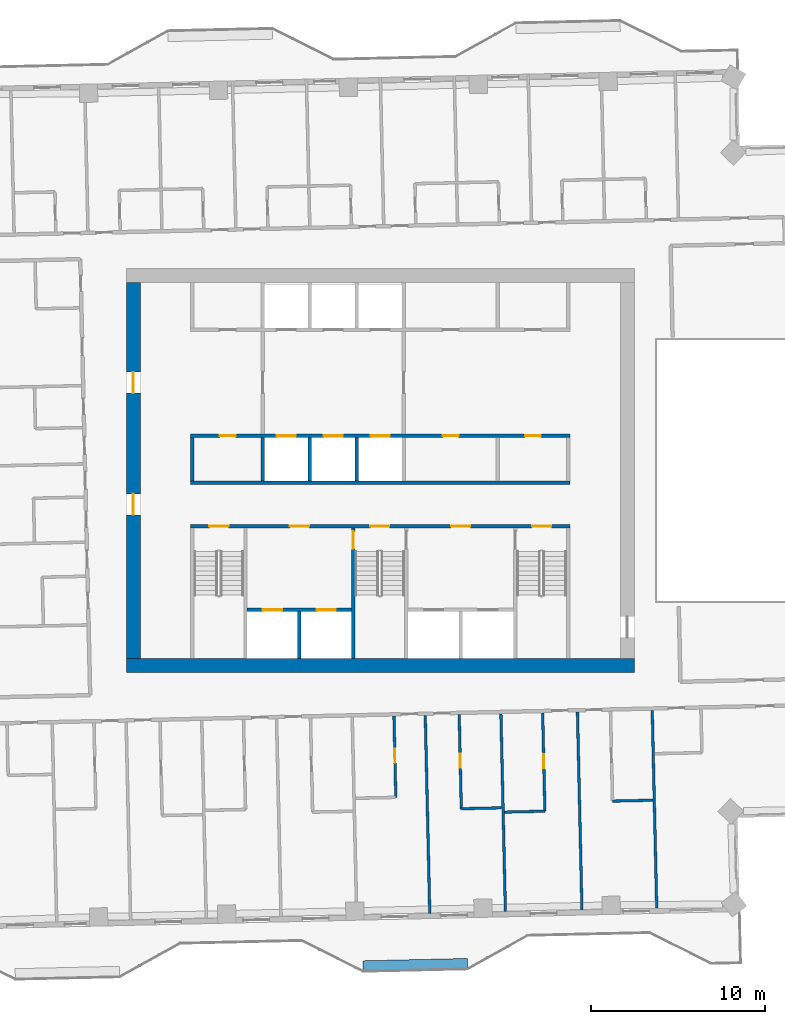
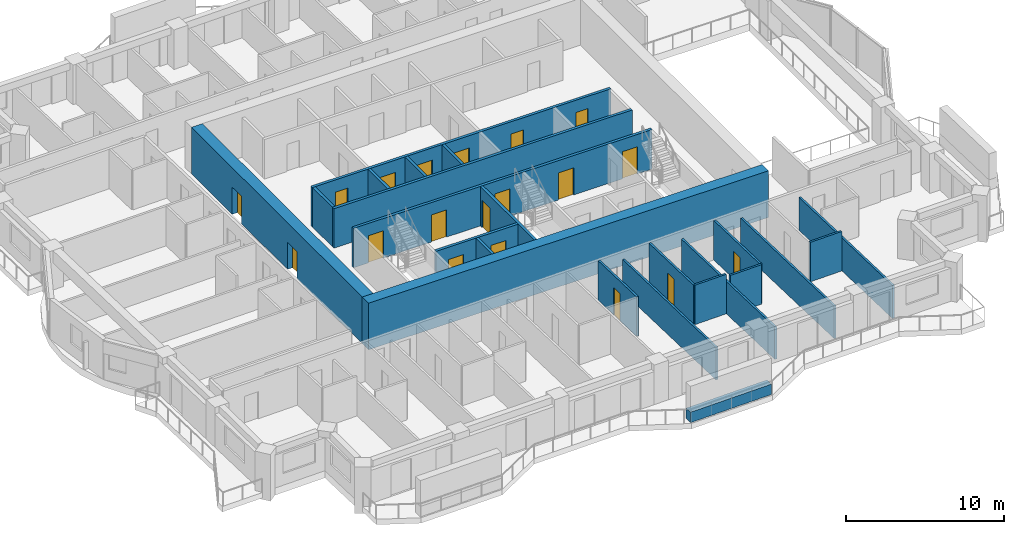
# One storey, part 8 of 17: 23 walls, 19 doors, 19 openings.
"""IFC4 building model written with IfcOpenShell, lengths in metres."""

from ifc_helpers import new_model, si_unit, direction, frame, frame_2d, origin, place, context, subcontext, project, spatial, rectangle, extrude, material, layer, layer_set, type_object, element, fill, save


model = new_model("IFC4")

# Units and contexts
model_context = context("Model", 3, precision=1e-05, world=origin(), true_north=direction((0.0, 1.0)))
body_context = subcontext(model_context, "Body", "Model", "MODEL_VIEW")
ifc_project = project(units=[si_unit("LENGTHUNIT", "METRE"), si_unit("AREAUNIT", "SQUARE_METRE"), si_unit("VOLUMEUNIT", "CUBIC_METRE"), si_unit("PLANEANGLEUNIT", "RADIAN"), si_unit("MASSUNIT", "GRAM", prefix="KILO")], contexts=[model_context])

# Site, building, storey
site_placement = place(None, origin())
site = spatial("IfcSite", under=ifc_project, at=site_placement, CompositionType="ELEMENT")
building_placement = place(site_placement, origin())
building = spatial("IfcBuilding", under=site, at=building_placement, Name="Mangrove Gate Tower", CompositionType="ELEMENT")
storey_placement = place(building_placement, frame((0.0, 0.0, 241.89990234375)))
storey = spatial("IfcBuildingStorey", under=building, at=storey_placement, Name="L61", CompositionType="ELEMENT", Elevation=241.89990234375)

# Walls
ifc_material_1 = material(Name="Concrete C32/40", Category="concrete")
ifc_layer_1 = layer(ifc_material_1, 0.199951171875)
ifc_layer_set_1 = layer_set([ifc_layer_1], Name="Core room wall 200 C32/40")
wall_type_1 = type_object("IfcWallType", Name="Core room wall 200 C32/40", PredefinedType="STANDARD", material=ifc_layer_set_1)
wall_1_placement = place(storey_placement, frame((-10.800048828125, -0.60009765625, 0.0), z_axis=(0.0, 0.0, 1.0), x_axis=(0.0, 1.0, 0.0)))
element("IfcWall", 1, at=wall_1_placement, inside=storey, type_object=wall_type_1, Name="WALL-L61-CORE-19", PredefinedType="STANDARD", context=body_context, shape_type="SweptSolid", body=[
    extrude(rectangle(XDim=2.5, YDim=0.199951171875, at=frame_2d((1.25, 0.0))), origin(), (0.0, 0.0, 1.0), 3.050048828125),
])
ifc_material_2 = material(Name="Concrete C60/75", Category="concrete")
ifc_layer_2 = layer(ifc_material_2, 0.199951171875)
ifc_layer_set_2 = layer_set([ifc_layer_2], Name="Core shaft wall 200 C60/75")
wall_type_2 = type_object("IfcWallType", Name="Core shaft wall 200 C60/75", PredefinedType="SHEAR", material=ifc_layer_set_2)
wall_2_placement = place(storey_placement, frame((-10.89990234375, -0.699951171875, 0.0), z_axis=(0.0, 0.0, 1.0), x_axis=(1.0, 0.0, 0.0)))
element("IfcWall", 2, at=wall_2_placement, inside=storey, type_object=wall_type_2, Name="WALL-L61-CORE-6", PredefinedType="SHEAR", context=body_context, shape_type="SweptSolid", body=[
    extrude(rectangle(XDim=21.7998046875, YDim=0.199951171875, at=frame_2d((10.89990234375, 0.0))), origin(), (0.0, 0.0, 1.0), 3.050048828125),
])

# Wall, openings, doors
wall_3_placement = place(storey_placement, frame((-10.89990234375, 2.0, 0.0), z_axis=(0.0, 0.0, 1.0), x_axis=(1.0, 0.0, 0.0)))
wall_3 = element("IfcWall", 3, at=wall_3_placement, inside=storey, type_object=wall_type_2, Name="WALL-L61-CORE-7", PredefinedType="SHEAR", context=body_context, shape_type="SweptSolid", body=[
    extrude(rectangle(XDim=21.7998046875, YDim=0.199951171875, at=frame_2d((10.89990234375, 0.0))), origin(), (0.0, 0.0, 1.0), 3.050048828125),
])
opening_1_placement = place(wall_3_placement, frame((4.949951171875, 0.0, 0.0)))
opening_1 = element("IfcOpeningElement", 4, at=opening_1_placement, cuts=wall_3, Name="Opening LD", PredefinedType="OPENING", context=body_context, shape_type="SweptSolid", body=[
    extrude(rectangle(XDim=1.10009765625, YDim=2.10009765625, at=frame_2d((0.550048828125, 1.050048828125))), frame((0.0, 0.10986328125, 0.0), z_axis=(0.0, -1.0, 0.0), x_axis=(1.0, 0.0, 0.0)), (0.0, 0.0, 1.0), 0.219970703125),
])
opening_2_placement = place(wall_3_placement, frame((7.64990234375, 0.0, 0.0)))
opening_2 = element("IfcOpeningElement", 5, at=opening_2_placement, cuts=wall_3, Name="Opening LD", PredefinedType="OPENING", context=body_context, shape_type="SweptSolid", body=[
    extrude(rectangle(XDim=1.10009765625, YDim=2.10009765625, at=frame_2d((0.550048828125, 1.050048828125))), frame((0.0, 0.10986328125, 0.0), z_axis=(0.0, -1.0, 0.0), x_axis=(1.0, 0.0, 0.0)), (0.0, 0.0, 1.0), 0.219970703125),
])
opening_3_placement = place(wall_3_placement, frame((10.35009765625, 0.0, 0.0)))
opening_3 = element("IfcOpeningElement", 6, at=opening_3_placement, cuts=wall_3, Name="Opening LD", PredefinedType="OPENING", context=body_context, shape_type="SweptSolid", body=[
    extrude(rectangle(XDim=1.10009765625, YDim=2.10009765625, at=frame_2d((0.550048828125, 1.050048828125))), frame((0.0, 0.10986328125, 0.0), z_axis=(0.0, -1.0, 0.0), x_axis=(1.0, 0.0, 0.0)), (0.0, 0.0, 1.0), 0.219970703125),
])
opening_4_placement = place(wall_3_placement, frame((1.675048828125, 0.0, 0.0)))
opening_4 = element("IfcOpeningElement", 7, at=opening_4_placement, cuts=wall_3, Name="Opening KD", PredefinedType="OPENING", context=body_context, shape_type="SweptSolid", body=[
    extrude(rectangle(XDim=0.89990234375, YDim=2.10009765625, at=frame_2d((0.449951171875, 1.050048828125))), frame((0.0, 0.10986328125, 0.0), z_axis=(0.0, -1.0, 0.0), x_axis=(1.0, 0.0, 0.0)), (0.0, 0.0, 1.0), 0.219970703125),
])
opening_5_placement = place(wall_3_placement, frame((14.5, 0.0, 0.0)))
opening_5 = element("IfcOpeningElement", 8, at=opening_5_placement, cuts=wall_3, Name="Opening KD", PredefinedType="OPENING", context=body_context, shape_type="SweptSolid", body=[
    extrude(rectangle(XDim=0.89990234375, YDim=2.10009765625, at=frame_2d((0.449951171875, 1.050048828125))), frame((0.0, 0.10986328125, 0.0), z_axis=(0.0, -1.0, 0.0), x_axis=(1.0, 0.0, 0.0)), (0.0, 0.0, 1.0), 0.219970703125),
])
opening_6_placement = place(wall_3_placement, frame((19.22509765625, 0.0, 0.0)))
opening_6 = element("IfcOpeningElement", 9, at=opening_6_placement, cuts=wall_3, Name="Opening RD", PredefinedType="OPENING", context=body_context, shape_type="SweptSolid", body=[
    extrude(rectangle(XDim=0.89990234375, YDim=2.10009765625, at=frame_2d((0.449951171875, 1.050048828125))), frame((0.0, 0.10986328125, 0.0), z_axis=(0.0, -1.0, 0.0), x_axis=(1.0, 0.0, 0.0)), (0.0, 0.0, 1.0), 0.219970703125),
])
ifc_material_3 = material(Name="Fire-rated steel door set", Category="steel")
door_type_1 = type_object("IfcDoorType", Name="Core room door FD30S 900x2100", OperationType="SINGLE_SWING_RIGHT", PredefinedType="DOOR", material=ifc_material_3)
door_1_placement = place(opening_4_placement, origin())
door_1 = element("IfcDoor", 10, at=door_1_placement, inside=storey, type_object=door_type_1, Name="Core room door Cleaner's store", OperationType="SINGLE_SWING_RIGHT", OverallHeight=2.10009765625, OverallWidth=0.89990234375, PredefinedType="DOOR", context=body_context, shape_type="SweptSolid", body=[
    extrude(rectangle(XDim=0.89990234375, YDim=2.10009765625, at=frame_2d((0.449951171875, 1.050048828125))), frame((0.0, 0.02490234375, 0.0), z_axis=(0.0, -1.0, 0.0), x_axis=(1.0, 0.0, 0.0)), (0.0, 0.0, 1.0), 0.050048828125),
])
fill(opening_4, door_1)
door_2_placement = place(opening_5_placement, origin())
door_2 = element("IfcDoor", 11, at=door_2_placement, inside=storey, type_object=door_type_1, Name="Core room door Refuse store", OperationType="SINGLE_SWING_RIGHT", OverallHeight=2.10009765625, OverallWidth=0.89990234375, PredefinedType="DOOR", context=body_context, shape_type="SweptSolid", body=[
    extrude(rectangle(XDim=0.89990234375, YDim=2.10009765625, at=frame_2d((0.449951171875, 1.050048828125))), frame((0.0, 0.02490234375, 0.0), z_axis=(0.0, -1.0, 0.0), x_axis=(1.0, 0.0, 0.0)), (0.0, 0.0, 1.0), 0.050048828125),
])
fill(opening_5, door_2)
ifc_material_4 = material(Name="Stainless steel 316", Category="steel")
door_type_2 = type_object("IfcDoorType", Name="Lift landing door 1100x2100", OperationType="SLIDING_TO_LEFT", PredefinedType="DOOR", material=ifc_material_4)
door_3_placement = place(opening_1_placement, origin())
door_3 = element("IfcDoor", 12, at=door_3_placement, inside=storey, type_object=door_type_2, Name="Landing door LD H01", OperationType="SLIDING_TO_LEFT", OverallHeight=2.10009765625, OverallWidth=1.10009765625, PredefinedType="DOOR", context=body_context, shape_type="SweptSolid", body=[
    extrude(rectangle(XDim=1.10009765625, YDim=2.10009765625, at=frame_2d((0.550048828125, 1.050048828125))), frame((0.0, 0.02490234375, 0.0), z_axis=(0.0, -1.0, 0.0), x_axis=(1.0, 0.0, 0.0)), (0.0, 0.0, 1.0), 0.050048828125),
])
fill(opening_1, door_3)
door_4_placement = place(opening_2_placement, origin())
door_4 = element("IfcDoor", 13, at=door_4_placement, inside=storey, type_object=door_type_2, Name="Landing door LD H02", OperationType="SLIDING_TO_LEFT", OverallHeight=2.10009765625, OverallWidth=1.10009765625, PredefinedType="DOOR", context=body_context, shape_type="SweptSolid", body=[
    extrude(rectangle(XDim=1.10009765625, YDim=2.10009765625, at=frame_2d((0.550048828125, 1.050048828125))), frame((0.0, 0.02490234375, 0.0), z_axis=(0.0, -1.0, 0.0), x_axis=(1.0, 0.0, 0.0)), (0.0, 0.0, 1.0), 0.050048828125),
])
fill(opening_2, door_4)
door_5_placement = place(opening_3_placement, origin())
door_5 = element("IfcDoor", 14, at=door_5_placement, inside=storey, type_object=door_type_2, Name="Landing door LD H03", OperationType="SLIDING_TO_LEFT", OverallHeight=2.10009765625, OverallWidth=1.10009765625, PredefinedType="DOOR", context=body_context, shape_type="SweptSolid", body=[
    extrude(rectangle(XDim=1.10009765625, YDim=2.10009765625, at=frame_2d((0.550048828125, 1.050048828125))), frame((0.0, 0.02490234375, 0.0), z_axis=(0.0, -1.0, 0.0), x_axis=(1.0, 0.0, 0.0)), (0.0, 0.0, 1.0), 0.050048828125),
])
fill(opening_3, door_5)
ifc_material_5 = material(Name="Fire-rated steel door set", Category="steel")
door_type_3 = type_object("IfcDoorType", Name="Riser door FD30S 900x2100", OperationType="SINGLE_SWING_LEFT", PredefinedType="DOOR", material=ifc_material_5)
door_6_placement = place(opening_6_placement, origin())
door_6 = element("IfcDoor", 15, at=door_6_placement, inside=storey, type_object=door_type_3, Name="Riser door Electrical room", OperationType="SINGLE_SWING_LEFT", OverallHeight=2.10009765625, OverallWidth=0.89990234375, PredefinedType="DOOR", context=body_context, shape_type="SweptSolid", body=[
    extrude(rectangle(XDim=0.89990234375, YDim=2.10009765625, at=frame_2d((0.449951171875, 1.050048828125))), frame((0.0, 0.02490234375, 0.0), z_axis=(0.0, -1.0, 0.0), x_axis=(1.0, 0.0, 0.0)), (0.0, 0.0, 1.0), 0.050048828125),
])
fill(opening_6, door_6)

wall_4_placement = place(storey_placement, frame((-7.64990234375, -8.0, 0.0), z_axis=(0.0, 0.0, 1.0), x_axis=(1.0, 0.0, 0.0)))
wall_4 = element("IfcWall", 16, at=wall_4_placement, inside=storey, type_object=wall_type_2, Name="WALL-L61-CORE-15", PredefinedType="SHEAR", context=body_context, shape_type="SweptSolid", body=[
    extrude(rectangle(XDim=6.0, YDim=0.199951171875, at=frame_2d((3.0, 0.0))), origin(), (0.0, 0.0, 1.0), 3.050048828125),
])
opening_7_placement = place(wall_4_placement, frame((0.89990234375, 0.0, 0.0)))
opening_7 = element("IfcOpeningElement", 17, at=opening_7_placement, cuts=wall_4, Name="Opening LD", PredefinedType="OPENING", context=body_context, shape_type="SweptSolid", body=[
    extrude(rectangle(XDim=1.10009765625, YDim=2.10009765625, at=frame_2d((0.550048828125, 1.050048828125))), frame((0.0, 0.10986328125, 0.0), z_axis=(0.0, -1.0, 0.0), x_axis=(1.0, 0.0, 0.0)), (0.0, 0.0, 1.0), 0.219970703125),
])
opening_8_placement = place(wall_4_placement, frame((4.0, 0.0, 0.0)))
opening_8 = element("IfcOpeningElement", 18, at=opening_8_placement, cuts=wall_4, Name="Opening LD", PredefinedType="OPENING", context=body_context, shape_type="SweptSolid", body=[
    extrude(rectangle(XDim=1.10009765625, YDim=2.10009765625, at=frame_2d((0.550048828125, 1.050048828125))), frame((0.0, 0.10986328125, 0.0), z_axis=(0.0, -1.0, 0.0), x_axis=(1.0, 0.0, 0.0)), (0.0, 0.0, 1.0), 0.219970703125),
])
door_7_placement = place(opening_7_placement, origin())
door_7 = element("IfcDoor", 19, at=door_7_placement, inside=storey, type_object=door_type_2, Name="Landing door LD SVL1", OperationType="SLIDING_TO_LEFT", OverallHeight=2.10009765625, OverallWidth=1.10009765625, PredefinedType="DOOR", context=body_context, shape_type="SweptSolid", body=[
    extrude(rectangle(XDim=1.10009765625, YDim=2.10009765625, at=frame_2d((0.550048828125, 1.050048828125))), frame((0.0, 0.02490234375, 0.0), z_axis=(0.0, -1.0, 0.0), x_axis=(1.0, 0.0, 0.0)), (0.0, 0.0, 1.0), 0.050048828125),
])
fill(opening_7, door_7)
door_8_placement = place(opening_8_placement, origin())
door_8 = element("IfcDoor", 20, at=door_8_placement, inside=storey, type_object=door_type_2, Name="Landing door LD SVL2", OperationType="SLIDING_TO_LEFT", OverallHeight=2.10009765625, OverallWidth=1.10009765625, PredefinedType="DOOR", context=body_context, shape_type="SweptSolid", body=[
    extrude(rectangle(XDim=1.10009765625, YDim=2.10009765625, at=frame_2d((0.550048828125, 1.050048828125))), frame((0.0, 0.02490234375, 0.0), z_axis=(0.0, -1.0, 0.0), x_axis=(1.0, 0.0, 0.0)), (0.0, 0.0, 1.0), 0.050048828125),
])
fill(opening_8, door_8)

# Walls
wall_5_placement = place(storey_placement, frame((-4.64990234375, -10.800048828125, 0.0), z_axis=(0.0, 0.0, 1.0), x_axis=(0.0, 1.0, 0.0)))
element("IfcWall", 21, at=wall_5_placement, inside=storey, type_object=wall_type_2, Name="WALL-L61-CORE-16", PredefinedType="SHEAR", context=body_context, shape_type="SweptSolid", body=[
    extrude(rectangle(XDim=2.699951171875, YDim=0.199951171875, at=frame_2d((1.35009765625, 0.0))), origin(), (0.0, 0.0, 1.0), 3.050048828125),
])
for number, where, z_axis, x_axis, name in (
    (22, (-6.75, -0.60009765625, 0.0), (0.0, 0.0, 1.0), (0.0, 1.0, 0.0), "WALL-L61-CORE-20"),
    (23, (-4.050048828125, -0.60009765625, 0.0), (0.0, 0.0, 1.0), (0.0, 1.0, 0.0), "WALL-L61-CORE-21"),
    (24, (-1.35009765625, -0.60009765625, 0.0), (0.0, 0.0, 1.0), (0.0, 1.0, 0.0), "WALL-L61-CORE-22"),
):
    element("IfcWall", number, at=place(storey_placement, frame(where, z_axis=z_axis, x_axis=x_axis)), inside=storey, type_object=wall_type_2, Name=name, PredefinedType="SHEAR", context=body_context, shape_type="SweptSolid", body=[
        extrude(rectangle(XDim=2.5, YDim=0.199951171875, at=frame_2d((1.25, 0.0))), origin(), (0.0, 0.0, 1.0), 3.050048828125),
    ])

# Wall, openings, doors
ifc_material_6 = material(Name="Concrete C60/75", Category="concrete")
ifc_layer_3 = layer(ifc_material_6, 0.199951171875)
ifc_layer_set_3 = layer_set([ifc_layer_3], Name="Core stair wall 200 C60/75")
wall_type_3 = type_object("IfcWallType", Name="Core stair wall 200 C60/75", PredefinedType="SHEAR", material=ifc_layer_set_3)
wall_6_placement = place(storey_placement, frame((-10.89990234375, -3.199951171875, 0.0), z_axis=(0.0, 0.0, 1.0), x_axis=(1.0, 0.0, 0.0)))
wall_6 = element("IfcWall", 25, at=wall_6_placement, inside=storey, type_object=wall_type_3, Name="WALL-L61-CORE-5", PredefinedType="SHEAR", context=body_context, shape_type="SweptSolid", body=[
    extrude(rectangle(XDim=21.7998046875, YDim=0.199951171875, at=frame_2d((10.89990234375, 0.0))), origin(), (0.0, 0.0, 1.0), 3.050048828125),
])
opening_9_placement = place(wall_6_placement, frame((1.074951171875, 0.0, 0.0)))
opening_9 = element("IfcOpeningElement", 26, at=opening_9_placement, cuts=wall_6, Name="Opening STD11", PredefinedType="OPENING", context=body_context, shape_type="SweptSolid", body=[
    extrude(rectangle(XDim=1.10009765625, YDim=2.10009765625, at=frame_2d((0.550048828125, 1.050048828125))), frame((0.0, 0.10986328125, 0.0), z_axis=(0.0, -1.0, 0.0), x_axis=(1.0, 0.0, 0.0)), (0.0, 0.0, 1.0), 0.219970703125),
])
opening_10_placement = place(wall_6_placement, frame((10.324951171875, 0.0, 0.0)))
opening_10 = element("IfcOpeningElement", 27, at=opening_10_placement, cuts=wall_6, Name="Opening STD11", PredefinedType="OPENING", context=body_context, shape_type="SweptSolid", body=[
    extrude(rectangle(XDim=1.10009765625, YDim=2.10009765625, at=frame_2d((0.550048828125, 1.050048828125))), frame((0.0, 0.10986328125, 0.0), z_axis=(0.0, -1.0, 0.0), x_axis=(1.0, 0.0, 0.0)), (0.0, 0.0, 1.0), 0.219970703125),
])
opening_11_placement = place(wall_6_placement, frame((19.625, 0.0, 0.0)))
opening_11 = element("IfcOpeningElement", 28, at=opening_11_placement, cuts=wall_6, Name="Opening STD11", PredefinedType="OPENING", context=body_context, shape_type="SweptSolid", body=[
    extrude(rectangle(XDim=1.10009765625, YDim=2.10009765625, at=frame_2d((0.550048828125, 1.050048828125))), frame((0.0, 0.10986328125, 0.0), z_axis=(0.0, -1.0, 0.0), x_axis=(1.0, 0.0, 0.0)), (0.0, 0.0, 1.0), 0.219970703125),
])
opening_12_placement = place(wall_6_placement, frame((5.699951171875, 0.0, 0.0)))
opening_12 = element("IfcOpeningElement", 29, at=opening_12_placement, cuts=wall_6, Name="Opening FL", PredefinedType="OPENING", context=body_context, shape_type="SweptSolid", body=[
    extrude(rectangle(XDim=1.10009765625, YDim=2.10009765625, at=frame_2d((0.550048828125, 1.050048828125))), frame((0.0, 0.10986328125, 0.0), z_axis=(0.0, -1.0, 0.0), x_axis=(1.0, 0.0, 0.0)), (0.0, 0.0, 1.0), 0.219970703125),
])
opening_13_placement = place(wall_6_placement, frame((14.97509765625, 0.0, 0.0)))
opening_13 = element("IfcOpeningElement", 30, at=opening_13_placement, cuts=wall_6, Name="Opening FL", PredefinedType="OPENING", context=body_context, shape_type="SweptSolid", body=[
    extrude(rectangle(XDim=1.10009765625, YDim=2.10009765625, at=frame_2d((0.550048828125, 1.050048828125))), frame((0.0, 0.10986328125, 0.0), z_axis=(0.0, -1.0, 0.0), x_axis=(1.0, 0.0, 0.0)), (0.0, 0.0, 1.0), 0.219970703125),
])
ifc_material_7 = material(Name="Fire-rated steel door set", Category="steel")
door_type_4 = type_object("IfcDoorType", Name="Lobby door FD60 1100x2100", OperationType="SINGLE_SWING_LEFT", PredefinedType="DOOR", material=ifc_material_7)
door_9_placement = place(opening_12_placement, origin())
door_9 = element("IfcDoor", 31, at=door_9_placement, inside=storey, type_object=door_type_4, Name="Lobby door service lobby", OperationType="SINGLE_SWING_LEFT", OverallHeight=2.10009765625, OverallWidth=1.10009765625, PredefinedType="DOOR", context=body_context, shape_type="SweptSolid", body=[
    extrude(rectangle(XDim=1.10009765625, YDim=2.10009765625, at=frame_2d((0.550048828125, 1.050048828125))), frame((0.0, 0.02490234375, 0.0), z_axis=(0.0, -1.0, 0.0), x_axis=(1.0, 0.0, 0.0)), (0.0, 0.0, 1.0), 0.050048828125),
])
fill(opening_12, door_9)
door_10_placement = place(opening_13_placement, origin())
door_10 = element("IfcDoor", 32, at=door_10_placement, inside=storey, type_object=door_type_4, Name="Lobby door fire-fighting lobby", OperationType="SINGLE_SWING_LEFT", OverallHeight=2.10009765625, OverallWidth=1.10009765625, PredefinedType="DOOR", context=body_context, shape_type="SweptSolid", body=[
    extrude(rectangle(XDim=1.10009765625, YDim=2.10009765625, at=frame_2d((0.550048828125, 1.050048828125))), frame((0.0, 0.02490234375, 0.0), z_axis=(0.0, -1.0, 0.0), x_axis=(1.0, 0.0, 0.0)), (0.0, 0.0, 1.0), 0.050048828125),
])
fill(opening_13, door_10)
ifc_material_8 = material(Name="Fire-rated steel door set", Category="steel")
door_type_5 = type_object("IfcDoorType", Name="Stair door FD60 1100x2100", OperationType="SINGLE_SWING_RIGHT", PredefinedType="DOOR", material=ifc_material_8)
door_11_placement = place(opening_9_placement, origin())
door_11 = element("IfcDoor", 33, at=door_11_placement, inside=storey, type_object=door_type_5, Name="Stair door Stair 1", OperationType="SINGLE_SWING_RIGHT", OverallHeight=2.10009765625, OverallWidth=1.10009765625, PredefinedType="DOOR", context=body_context, shape_type="SweptSolid", body=[
    extrude(rectangle(XDim=1.10009765625, YDim=2.10009765625, at=frame_2d((0.550048828125, 1.050048828125))), frame((0.0, 0.02490234375, 0.0), z_axis=(0.0, -1.0, 0.0), x_axis=(1.0, 0.0, 0.0)), (0.0, 0.0, 1.0), 0.050048828125),
])
fill(opening_9, door_11)
door_12_placement = place(opening_10_placement, origin())
door_12 = element("IfcDoor", 34, at=door_12_placement, inside=storey, type_object=door_type_5, Name="Stair door Stair 2", OperationType="SINGLE_SWING_RIGHT", OverallHeight=2.10009765625, OverallWidth=1.10009765625, PredefinedType="DOOR", context=body_context, shape_type="SweptSolid", body=[
    extrude(rectangle(XDim=1.10009765625, YDim=2.10009765625, at=frame_2d((0.550048828125, 1.050048828125))), frame((0.0, 0.02490234375, 0.0), z_axis=(0.0, -1.0, 0.0), x_axis=(1.0, 0.0, 0.0)), (0.0, 0.0, 1.0), 0.050048828125),
])
fill(opening_10, door_12)
door_13_placement = place(opening_11_placement, origin())
door_13 = element("IfcDoor", 35, at=door_13_placement, inside=storey, type_object=door_type_5, Name="Stair door Stair 3", OperationType="SINGLE_SWING_RIGHT", OverallHeight=2.10009765625, OverallWidth=1.10009765625, PredefinedType="DOOR", context=body_context, shape_type="SweptSolid", body=[
    extrude(rectangle(XDim=1.10009765625, YDim=2.10009765625, at=frame_2d((0.550048828125, 1.050048828125))), frame((0.0, 0.02490234375, 0.0), z_axis=(0.0, -1.0, 0.0), x_axis=(1.0, 0.0, 0.0)), (0.0, 0.0, 1.0), 0.050048828125),
])
fill(opening_11, door_13)

# Wall, opening, door
wall_7_placement = place(storey_placement, frame((-1.550048828125, -10.800048828125, 0.0), z_axis=(0.0, 0.0, 1.0), x_axis=(0.0, 1.0, 0.0)))
wall_7 = element("IfcWall", 36, at=wall_7_placement, inside=storey, type_object=wall_type_3, Name="WALL-L61-CORE-11", PredefinedType="SHEAR", context=body_context, shape_type="SweptSolid", body=[
    extrude(rectangle(XDim=7.5, YDim=0.199951171875, at=frame_2d((3.75, 0.0))), origin(), (0.0, 0.0, 1.0), 3.050048828125),
])
opening_14_placement = place(wall_7_placement, frame((6.300048828125, 0.0, 0.0)))
opening_14 = element("IfcOpeningElement", 37, at=opening_14_placement, cuts=wall_7, Name="Opening STD10", PredefinedType="OPENING", context=body_context, shape_type="SweptSolid", body=[
    extrude(rectangle(XDim=1.0, YDim=2.10009765625, at=frame_2d((0.5, 1.050048828125))), frame((0.0, 0.10986328125, 0.0), z_axis=(0.0, -1.0, 0.0), x_axis=(1.0, 0.0, 0.0)), (0.0, 0.0, 1.0), 0.219970703125),
])
ifc_material_9 = material(Name="Fire-rated steel door set", Category="steel")
door_type_6 = type_object("IfcDoorType", Name="Stair door FD60 1000x2100", OperationType="SINGLE_SWING_RIGHT", PredefinedType="DOOR", material=ifc_material_9)
door_14_placement = place(opening_14_placement, origin())
door_14 = element("IfcDoor", 38, at=door_14_placement, inside=storey, type_object=door_type_6, Name="Stair door Stair 2 from service lobby", OperationType="SINGLE_SWING_RIGHT", OverallHeight=2.10009765625, OverallWidth=1.0, PredefinedType="DOOR", context=body_context, shape_type="SweptSolid", body=[
    extrude(rectangle(XDim=1.0, YDim=2.10009765625, at=frame_2d((0.5, 1.050048828125))), frame((0.0, 0.02490234375, 0.0), z_axis=(0.0, -1.0, 0.0), x_axis=(1.0, 0.0, 0.0)), (0.0, 0.0, 1.0), 0.050048828125),
])
fill(opening_14, door_14)

# Wall
ifc_material_10 = material(Name="Concrete C60/75", Category="concrete")
ifc_layer_4 = layer(ifc_material_10, 0.800048828125)
ifc_layer_set_4 = layer_set([ifc_layer_4], Name="Core wall 800 C60/75")
wall_type_4 = type_object("IfcWallType", Name="Core wall 800 C60/75", PredefinedType="SHEAR", material=ifc_layer_set_4)
wall_8_placement = place(storey_placement, frame((-14.60009765625, -11.199951171875, 0.0), z_axis=(0.0, 0.0, 1.0), x_axis=(1.0, 0.0, 0.0)))
element("IfcWall", 39, at=wall_8_placement, inside=storey, type_object=wall_type_4, Name="WALL-L61-CORE-1", PredefinedType="SHEAR", context=body_context, shape_type="SweptSolid", body=[
    extrude(rectangle(XDim=29.2001953125, YDim=0.800048828125, at=frame_2d((14.60009765625, 0.0))), origin(), (0.0, 0.0, 1.0), 3.60009765625),
])

# Wall, openings, doors
wall_9_placement = place(storey_placement, frame((-14.199951171875, -10.800048828125, 0.0), z_axis=(0.0, 0.0, 1.0), x_axis=(0.0, 1.0, 0.0)))
wall_9 = element("IfcWall", 40, at=wall_9_placement, inside=storey, type_object=wall_type_4, Name="WALL-L61-CORE-3", PredefinedType="SHEAR", context=body_context, shape_type="SweptSolid", body=[
    extrude(rectangle(XDim=21.60009765625, YDim=0.800048828125, at=frame_2d((10.800048828125, 0.0))), origin(), (0.0, 0.0, 1.0), 3.60009765625),
])
opening_15_placement = place(wall_9_placement, frame((8.25, 0.0, 0.0)))
opening_15 = element("IfcOpeningElement", 41, at=opening_15_placement, cuts=wall_9, Name="Opening CD", PredefinedType="OPENING", context=body_context, shape_type="SweptSolid", body=[
    extrude(rectangle(XDim=1.199951171875, YDim=2.10009765625, at=frame_2d((0.60009765625, 1.050048828125))), frame((0.0, 0.409912109375, 0.0), z_axis=(0.0, -1.0, 0.0), x_axis=(1.0, 0.0, 0.0)), (0.0, 0.0, 1.0), 0.820068359375),
])
opening_16_placement = place(wall_9_placement, frame((15.25, 0.0, 0.0)))
opening_16 = element("IfcOpeningElement", 42, at=opening_16_placement, cuts=wall_9, Name="Opening CD", PredefinedType="OPENING", context=body_context, shape_type="SweptSolid", body=[
    extrude(rectangle(XDim=1.199951171875, YDim=2.10009765625, at=frame_2d((0.60009765625, 1.050048828125))), frame((0.0, 0.409912109375, 0.0), z_axis=(0.0, -1.0, 0.0), x_axis=(1.0, 0.0, 0.0)), (0.0, 0.0, 1.0), 0.820068359375),
])
ifc_material_11 = material(Name="Fire-rated steel door set", Category="steel")
door_type_7 = type_object("IfcDoorType", Name="Core ring door FD60 1200x2100", OperationType="DOUBLE_DOOR_SINGLE_SWING", PredefinedType="DOOR", material=ifc_material_11)
door_15_placement = place(opening_15_placement, origin())
door_15 = element("IfcDoor", 43, at=door_15_placement, inside=storey, type_object=door_type_7, Name="Core ring door W1", OperationType="DOUBLE_DOOR_SINGLE_SWING", OverallHeight=2.10009765625, OverallWidth=1.199951171875, PredefinedType="DOOR", context=body_context, shape_type="SweptSolid", body=[
    extrude(rectangle(XDim=1.199951171875, YDim=2.10009765625, at=frame_2d((0.60009765625, 1.050048828125))), frame((0.0, 0.02490234375, 0.0), z_axis=(0.0, -1.0, 0.0), x_axis=(1.0, 0.0, 0.0)), (0.0, 0.0, 1.0), 0.050048828125),
])
fill(opening_15, door_15)
door_16_placement = place(opening_16_placement, origin())
door_16 = element("IfcDoor", 44, at=door_16_placement, inside=storey, type_object=door_type_7, Name="Core ring door W2", OperationType="DOUBLE_DOOR_SINGLE_SWING", OverallHeight=2.10009765625, OverallWidth=1.199951171875, PredefinedType="DOOR", context=body_context, shape_type="SweptSolid", body=[
    extrude(rectangle(XDim=1.199951171875, YDim=2.10009765625, at=frame_2d((0.60009765625, 1.050048828125))), frame((0.0, 0.02490234375, 0.0), z_axis=(0.0, -1.0, 0.0), x_axis=(1.0, 0.0, 0.0)), (0.0, 0.0, 1.0), 0.050048828125),
])
fill(opening_16, door_16)

# Walls
ifc_material_12 = material(Name="Gypsum board on steel stud, EI 60", Category="steel")
ifc_layer_5 = layer(ifc_material_12, 0.14990234375)
ifc_layer_set_5 = layer_set([ifc_layer_5], Name="Party wall 150 EI 60")
wall_type_5 = type_object("IfcWallType", Name="Party wall 150 EI 60", PredefinedType="PARTITIONING", material=ifc_layer_set_5)
for number, where, z_axis, x_axis, name in (
    (45, (2.841064453125, -25.455078125, 0.0), (0.0, 0.0, 1.0), (-0.022684355347, 0.999742676904, 0.0), "WALL-L61-006"),
    (46, (7.18994140625, -25.35693359375, 0.0), (0.0, 0.0, 1.0), (-0.022684355347, 0.999742676904, 0.0), "WALL-L61-007"),
    (47, (11.589111328125, -25.257080078125, 0.0), (0.0, 0.0, 1.0), (-0.022684355347, 0.999742676904, 0.0), "WALL-L61-008"),
):
    element("IfcWall", number, at=place(storey_placement, frame(where, z_axis=z_axis, x_axis=x_axis)), inside=storey, type_object=wall_type_5, Name=name, PredefinedType="PARTITIONING", context=body_context, shape_type="SweptSolid", body=[
        extrude(rectangle(XDim=11.3759765625, YDim=0.14990234375, at=frame_2d((5.68798828125, 0.0))), origin(), (0.0, 0.0, 1.0), 2.5),
    ])
wall_10_placement = place(storey_placement, frame((15.887939453125, -25.158935546875, 0.0), z_axis=(0.0, 0.0, 1.0), x_axis=(-0.022684355347, 0.999742676904, 0.0)))
element("IfcWall", 48, at=wall_10_placement, inside=storey, type_object=wall_type_5, Name="WALL-L61-009", PredefinedType="PARTITIONING", context=body_context, shape_type="SweptSolid", body=[
    extrude(rectangle(XDim=11.3759765625, YDim=0.14990234375, at=frame_2d((5.68798828125, 0.0))), origin(), (0.0, 0.0, 1.0), 2.550048828125),
])

# Wall, opening, door
wall_11_placement = place(storey_placement, frame((9.4599609375, -19.587890625, 0.0), z_axis=(0.0, 0.0, 1.0), x_axis=(-0.022773332125, 0.999740654042, 0.0)))
wall_11 = element("IfcWall", 49, at=wall_11_placement, inside=storey, type_object=wall_type_5, Name="WALL-L61-010", PredefinedType="PARTITIONING", context=body_context, shape_type="SweptSolid", body=[
    extrude(rectangle(XDim=5.660400390625, YDim=0.14990234375, at=frame_2d((2.830078125, 0.0))), origin(), (0.0, 0.0, 1.0), 3.050048828125),
])
opening_17_placement = place(wall_11_placement, frame((2.47998046875, 0.0, 0.0)))
opening_17 = element("IfcOpeningElement", 50, at=opening_17_placement, cuts=wall_11, Name="Opening ED", PredefinedType="OPENING", context=body_context, shape_type="SweptSolid", body=[
    extrude(rectangle(XDim=0.800048828125, YDim=2.10009765625, at=frame_2d((0.39990234375, 1.050048828125))), frame((0.0, 0.0849609375, 0.0), z_axis=(0.0, -1.0, 0.0), x_axis=(1.0, 0.0, 0.0)), (0.0, 0.0, 1.0), 0.169921875),
])
ifc_material_13 = material(Name="Timber door leaf", Category="wood")
door_type_8 = type_object("IfcDoorType", Name="En-suite door 800", OperationType="SINGLE_SWING_LEFT", PredefinedType="DOOR", material=ifc_material_13)
door_17_placement = place(opening_17_placement, origin())
door_17 = element("IfcDoor", 51, at=door_17_placement, inside=storey, type_object=door_type_8, Name="DOOR-L61-ENS-c207", OperationType="SINGLE_SWING_LEFT", OverallHeight=2.10009765625, OverallWidth=0.800048828125, PredefinedType="DOOR", context=body_context, shape_type="SweptSolid", body=[
    extrude(rectangle(XDim=0.800048828125, YDim=2.10009765625, at=frame_2d((0.39990234375, 1.050048828125))), frame((0.0, 0.02490234375, 0.0), z_axis=(0.0, -1.0, 0.0), x_axis=(1.0, 0.0, 0.0)), (0.0, 0.0, 1.0), 0.050048828125),
])
fill(opening_17, door_17)

# Wall
wall_12_placement = place(storey_placement, frame((7.131103515625, -19.636962890625, 0.0), z_axis=(0.0, 0.0, 1.0), x_axis=(0.999740478815, 0.022781023197, 0.0)))
element("IfcWall", 52, at=wall_12_placement, inside=storey, type_object=wall_type_5, Name="WALL-L61-011", PredefinedType="PARTITIONING", context=body_context, shape_type="SweptSolid", body=[
    extrude(rectangle(XDim=2.325439453125, YDim=0.14990234375, at=frame_2d((1.16259765625, 0.0))), origin(), (0.0, 0.0, 1.0), 3.050048828125),
])

# Wall, opening, door
wall_13_placement = place(storey_placement, frame((4.655029296875, -19.447021484375, 0.0), z_axis=(0.0, 0.0, 1.0), x_axis=(-0.022562523897, 0.999745433856, 0.0)))
wall_13 = element("IfcWall", 53, at=wall_13_placement, inside=storey, type_object=wall_type_5, Name="WALL-L61-014", PredefinedType="PARTITIONING", context=body_context, shape_type="SweptSolid", body=[
    extrude(rectangle(XDim=5.410400390625, YDim=0.14990234375, at=frame_2d((2.705078125, 0.0))), origin(), (0.0, 0.0, 1.0), 3.050048828125),
])
opening_18_placement = place(wall_13_placement, frame((2.35498046875, 0.0, 0.0)))
opening_18 = element("IfcOpeningElement", 54, at=opening_18_placement, cuts=wall_13, Name="Opening ED", PredefinedType="OPENING", context=body_context, shape_type="SweptSolid", body=[
    extrude(rectangle(XDim=0.800048828125, YDim=2.10009765625, at=frame_2d((0.39990234375, 1.050048828125))), frame((0.0, 0.0849609375, 0.0), z_axis=(0.0, -1.0, 0.0), x_axis=(1.0, 0.0, 0.0)), (0.0, 0.0, 1.0), 0.169921875),
])
door_18_placement = place(opening_18_placement, origin())
door_18 = element("IfcDoor", 55, at=door_18_placement, inside=storey, type_object=door_type_8, Name="DOOR-L61-ENS-c206", OperationType="SINGLE_SWING_RIGHT", OverallHeight=2.10009765625, OverallWidth=0.800048828125, PredefinedType="DOOR", context=body_context, shape_type="SweptSolid", body=[
    extrude(rectangle(XDim=0.800048828125, YDim=2.10009765625, at=frame_2d((0.39990234375, 1.050048828125))), frame((0.0, 0.02490234375, 0.0), z_axis=(0.0, -1.0, 0.0), x_axis=(1.0, 0.0, 0.0)), (0.0, 0.0, 1.0), 0.050048828125),
])
fill(opening_18, door_18)

# Walls
wall_14_placement = place(storey_placement, frame((4.65087890625, -19.443115234375, 0.0), z_axis=(0.0, 0.0, 1.0), x_axis=(0.999738137323, 0.022883548292, 0.0)))
element("IfcWall", 56, at=wall_14_placement, inside=storey, type_object=wall_type_5, Name="WALL-L61-017", PredefinedType="PARTITIONING", context=body_context, shape_type="SweptSolid", body=[
    extrude(rectangle(XDim=2.32568359375, YDim=0.14990234375, at=frame_2d((1.162841796875, 0.0))), origin(), (0.0, 0.0, 1.0), 3.050048828125),
])
wall_15_placement = place(storey_placement, frame((13.343994140625, -19.0048828125, 0.0), z_axis=(0.0, 0.0, 1.0), x_axis=(0.999749744571, 0.022370700241, 0.0)))
element("IfcWall", 57, at=wall_15_placement, inside=storey, type_object=wall_type_5, Name="WALL-L61-021", PredefinedType="PARTITIONING", context=body_context, shape_type="SweptSolid", body=[
    extrude(rectangle(XDim=2.324462890625, YDim=0.14990234375, at=frame_2d((1.162109375, 0.0))), origin(), (0.0, 0.0, 1.0), 3.050048828125),
])

# Wall, opening, door
wall_16_placement = place(storey_placement, frame((0.889892578125, -18.7919921875, 0.0), z_axis=(0.0, 0.0, 1.0), x_axis=(-0.022688155425, 0.999742590672, 0.0)))
wall_16 = element("IfcWall", 58, at=wall_16_placement, inside=storey, type_object=wall_type_5, Name="WALL-L61-024", PredefinedType="PARTITIONING", context=body_context, shape_type="SweptSolid", body=[
    extrude(rectangle(XDim=4.670166015625, YDim=0.14990234375, at=frame_2d((2.3349609375, 0.0))), origin(), (0.0, 0.0, 1.0), 3.050048828125),
])
opening_19_placement = place(wall_16_placement, frame((1.985107421875, 0.0, 0.0)))
opening_19 = element("IfcOpeningElement", 59, at=opening_19_placement, cuts=wall_16, Name="Opening ED", PredefinedType="OPENING", context=body_context, shape_type="SweptSolid", body=[
    extrude(rectangle(XDim=0.800048828125, YDim=2.10009765625, at=frame_2d((0.39990234375, 1.050048828125))), frame((0.0, 0.0849609375, 0.0), z_axis=(0.0, -1.0, 0.0), x_axis=(1.0, 0.0, 0.0)), (0.0, 0.0, 1.0), 0.169921875),
])
door_19_placement = place(opening_19_placement, origin())
door_19 = element("IfcDoor", 60, at=door_19_placement, inside=storey, type_object=door_type_8, Name="DOOR-L61-ENS-c205", OperationType="SINGLE_SWING_LEFT", OverallHeight=2.10009765625, OverallWidth=0.800048828125, PredefinedType="DOOR", context=body_context, shape_type="SweptSolid", body=[
    extrude(rectangle(XDim=0.800048828125, YDim=2.10009765625, at=frame_2d((0.39990234375, 1.050048828125))), frame((0.0, 0.02490234375, 0.0), z_axis=(0.0, -1.0, 0.0), x_axis=(1.0, 0.0, 0.0)), (0.0, 0.0, 1.0), 0.050048828125),
])
fill(opening_19, door_19)

# Wall
ifc_material_14 = material(Name="Concrete C32/40", Category="concrete")
ifc_layer_6 = layer(ifc_material_14, 0.199951171875, Name="Planter trough wall")
ifc_material_15 = material(Name="Bituminous waterproofing membrane")
ifc_layer_7 = layer(ifc_material_15, 0.0048828125, Name="Waterproofing")
ifc_material_16 = material(Name="Drainage board and gravel")
ifc_layer_8 = layer(ifc_material_16, 0.044921875, Name="Drainage layer")
ifc_material_17 = material(Name="Planting soil")
ifc_layer_9 = layer(ifc_material_17, 0.300048828125, Name="Growing medium")
ifc_layer_set_6 = layer_set([ifc_layer_6, ifc_layer_7, ifc_layer_8, ifc_layer_9], Name="Planter wall 550 C32/40")
wall_type_6 = type_object("IfcWallType", Name="Planter wall 550 C32/40", PredefinedType="USERDEFINED", material=ifc_layer_set_6)
wall_17_placement = place(storey_placement, frame((-0.990966796875, -28.4580078125, 0.0), z_axis=(0.0, 0.0, 1.0), x_axis=(0.999743094499, 0.022665943652, 0.0)))
element("IfcWall", 61, at=wall_17_placement, inside=storey, type_object=wall_type_6, Name="PLANTER L61 S1.1", ObjectType="PLANTER", PredefinedType="USERDEFINED", context=body_context, shape_type="SweptSolid", body=[
    extrude(rectangle(XDim=5.99951171875, YDim=0.550048828125, at=frame_2d((2.999755859375, 0.0))), origin(), (0.0, 0.0, 1.0), 0.800048828125),
])

save(model, "model.ifc")
